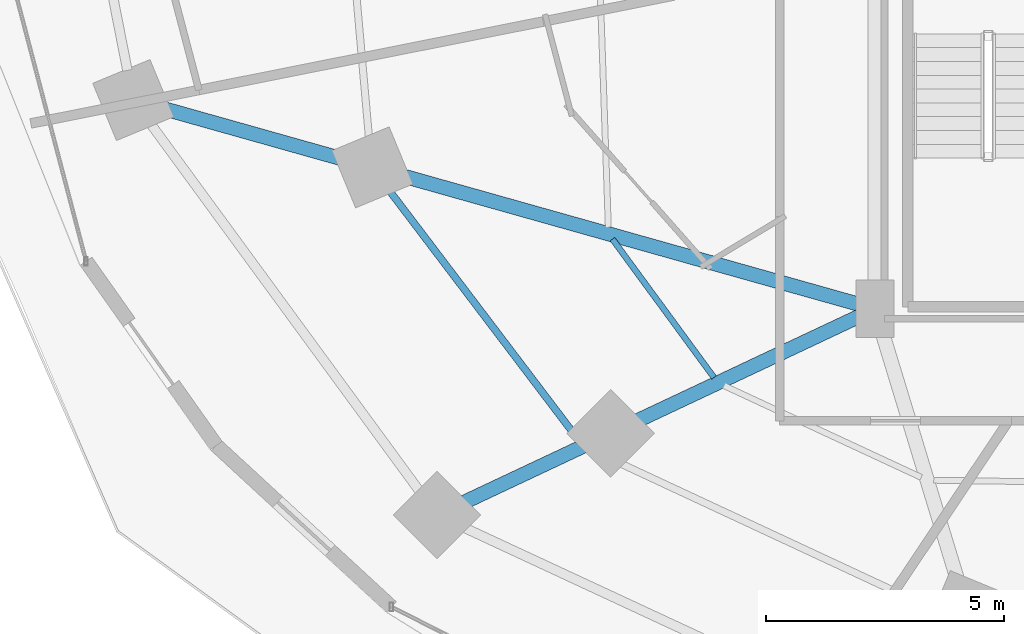
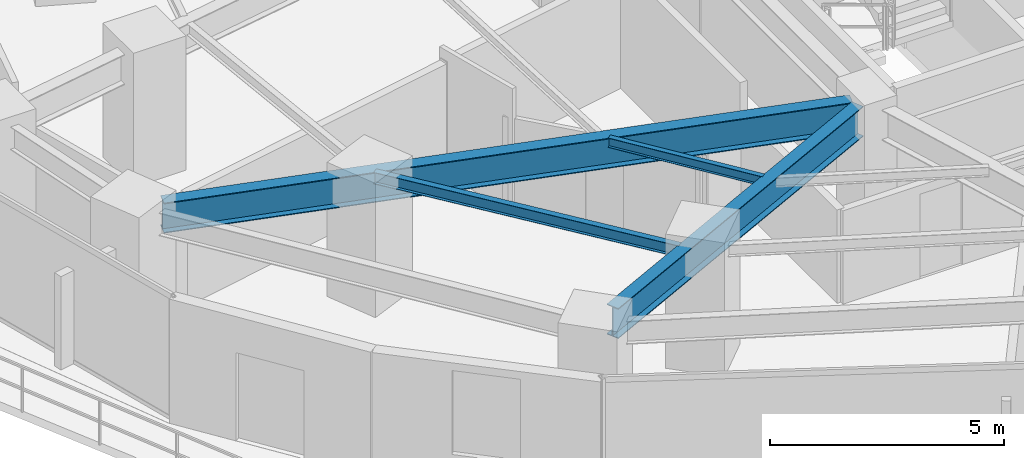
# One storey, part 4 of 33: 4 beams.
"""IFC4 building model written with IfcOpenShell, lengths in metres."""

from ifc_helpers import new_model, si_unit, direction, frame, origin, origin_2d, place, context, subcontext, project, spatial, i_section, extrude, material, material_profile, profile_set, type_object, element, save


model = new_model("IFC4")

# Units and contexts
model_context = context("Model", 3, precision=1e-05, world=origin(), true_north=direction((0.0, 1.0)))
body_context = subcontext(model_context, "Body", "Model", "MODEL_VIEW")
ifc_project = project(units=[si_unit("LENGTHUNIT", "METRE"), si_unit("AREAUNIT", "SQUARE_METRE"), si_unit("VOLUMEUNIT", "CUBIC_METRE"), si_unit("PLANEANGLEUNIT", "RADIAN"), si_unit("MASSUNIT", "GRAM", prefix="KILO")], contexts=[model_context])

# Site, building, storey
site_placement = place(None, origin())
site = spatial("IfcSite", under=ifc_project, at=site_placement, CompositionType="ELEMENT")
building_placement = place(site_placement, origin())
building = spatial("IfcBuilding", under=site, at=building_placement, Name="Vorneva Point Tower", CompositionType="ELEMENT")
storey_placement = place(building_placement, frame((0.0, 0.0, 34.5)))
storey = spatial("IfcBuildingStorey", under=building, at=storey_placement, Name="L08", CompositionType="ELEMENT", Elevation=34.5)

# Beams
ifc_material = material(Name="Steel S355", Category="steel")
ifc_material_profile_1 = material_profile(ifc_material, i_section(OverallWidth=0.300048828125, OverallDepth=0.7880859375, WebThickness=0.014404296875, FlangeThickness=0.02197265625, at=origin_2d()), Name="80Sh1")
ifc_profile_set_1 = profile_set([ifc_material_profile_1], Name="Steel S355")
beam_type_1 = type_object("IfcBeamType", Name="BM-GRD-80Sh1", PredefinedType="USERDEFINED", material=ifc_profile_set_1)
beam_1_placement = place(storey_placement, frame((12.30224609375, 20.65673828125, 2.845947265625), z_axis=(0.962603400973, -0.270914548217, 0.0), x_axis=(0.270914548217, 0.962603400973, 0.0)))
element("IfcBeam", 1, at=beam_1_placement, inside=storey, type_object=beam_type_1, Name="L08 Radial Primary Girder 10", ObjectType="GIRDER", PredefinedType="USERDEFINED", context=body_context, shape_type="SweptSolid", body=[
    extrude(i_section(OverallWidth=0.300048828125, OverallDepth=0.7880859375, WebThickness=0.014404296875, FlangeThickness=0.02197265625, at=origin_2d()), origin(), (0.0, 0.0, 1.0), 15.188232421875),
])
beam_2_placement = place(storey_placement, frame((18.638427734375, 12.39599609375, 2.845947265625), z_axis=(0.904758409006, 0.425925135831, 0.0), x_axis=(-0.425925135831, 0.904758409006, 0.0)))
element("IfcBeam", 2, at=beam_2_placement, inside=storey, type_object=beam_type_1, Name="L08 Radial Primary Girder 11", ObjectType="GIRDER", PredefinedType="USERDEFINED", context=body_context, shape_type="SweptSolid", body=[
    extrude(i_section(OverallWidth=0.300048828125, OverallDepth=0.7880859375, WebThickness=0.014404296875, FlangeThickness=0.02197265625, at=origin_2d()), origin(), (0.0, 0.0, 1.0), 9.177978515625),
])
ifc_material_profile_2 = material_profile(ifc_material, i_section(OverallWidth=0.1240234375, OverallDepth=0.248046875, WebThickness=0.0048828125, FlangeThickness=0.008056640625, at=origin_2d()), Name="25B1")
ifc_profile_set_2 = profile_set([ifc_material_profile_2], Name="Steel S355")
beam_type_2 = type_object("IfcBeamType", Name="BM-JST-25B1", PredefinedType="JOIST", material=ifc_profile_set_2)
beam_3_placement = place(storey_placement, frame((21.740966796875, 17.912109375, 3.115966796875), z_axis=(0.591625231852, -0.806213113907, 0.0), x_axis=(0.806213113907, 0.591625231852, 0.0)))
element("IfcBeam", 3, at=beam_3_placement, inside=storey, type_object=beam_type_2, Name="L08 Secondary Floor Beam 2.10", PredefinedType="JOIST", context=body_context, shape_type="SweptSolid", body=[
    extrude(i_section(OverallWidth=0.1240234375, OverallDepth=0.248046875, WebThickness=0.0048828125, FlangeThickness=0.008056640625, at=origin_2d()), origin(), (0.0, 0.0, 1.0), 3.600830078125),
])
ifc_material_profile_3 = material_profile(ifc_material, i_section(OverallWidth=0.14892578125, OverallDepth=0.298095703125, WebThickness=0.005615234375, FlangeThickness=0.008056640625, at=origin_2d()), Name="30B1")
ifc_profile_set_3 = profile_set([ifc_material_profile_3], Name="Steel S355")
beam_type_3 = type_object("IfcBeamType", Name="BM-JST-30B1", PredefinedType="JOIST", material=ifc_profile_set_3)
beam_4_placement = place(storey_placement, frame((16.771728515625, 19.3125, 3.091064453125), z_axis=(0.604453726365, -0.79664025299, 0.0), x_axis=(0.79664025299, 0.604453726365, 0.0)))
element("IfcBeam", 4, at=beam_4_placement, inside=storey, type_object=beam_type_3, Name="L08 Secondary Floor Beam 1.10", PredefinedType="JOIST", context=body_context, shape_type="SweptSolid", body=[
    extrude(i_section(OverallWidth=0.14892578125, OverallDepth=0.298095703125, WebThickness=0.005615234375, FlangeThickness=0.008056640625, at=origin_2d()), origin(), (0.0, 0.0, 1.0), 7.072021484375),
])

save(model, "model.ifc")
